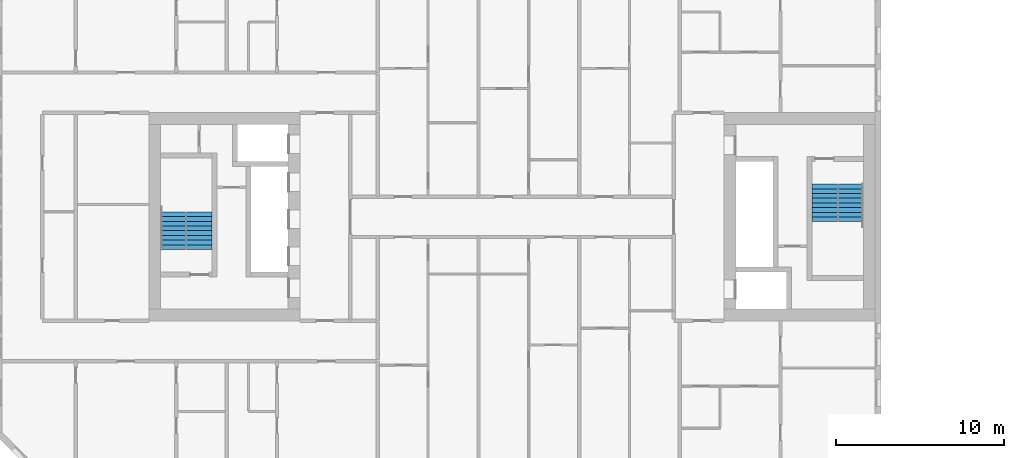
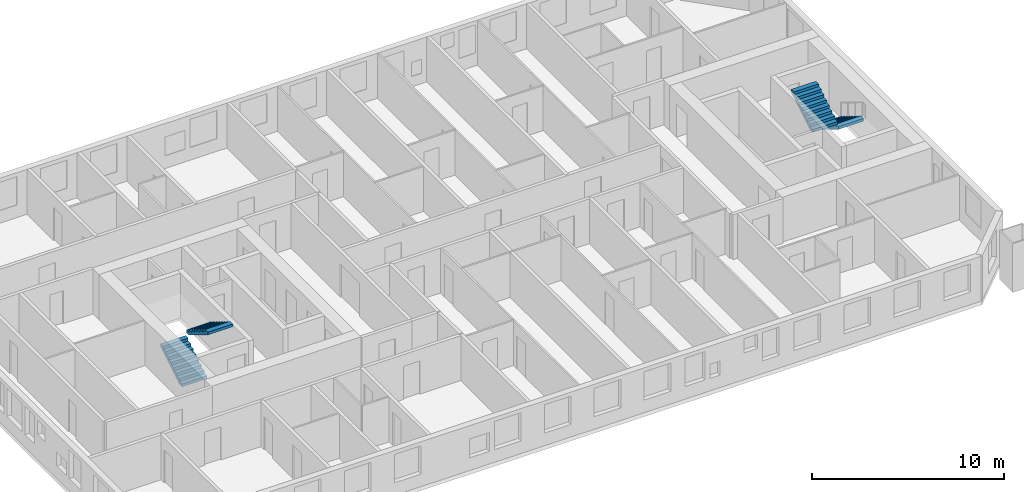
# One storey, part 16 of 17: 4 stair flights, 2 elements without a shape of their own.
"""IFC4 building model written with IfcOpenShell, lengths in metres."""

from ifc_helpers import new_model, si_unit, direction, frame, origin, place, context, subcontext, project, spatial, faceted_brep, material, type_object, element, aggregate, save


model = new_model("IFC4")

# Units and contexts
model_context = context("Model", 3, precision=1e-05, world=origin(), true_north=direction((0.0, 1.0)))
body_context = subcontext(model_context, "Body", "Model", "MODEL_VIEW")
ifc_project = project(units=[si_unit("LENGTHUNIT", "METRE"), si_unit("AREAUNIT", "SQUARE_METRE"), si_unit("VOLUMEUNIT", "CUBIC_METRE"), si_unit("PLANEANGLEUNIT", "RADIAN"), si_unit("MASSUNIT", "GRAM", prefix="KILO")], contexts=[model_context])

# Site, building, storey
site_placement = place(None, origin())
site = spatial("IfcSite", under=ifc_project, at=site_placement, CompositionType="ELEMENT")
building_placement = place(site_placement, origin())
building = spatial("IfcBuilding", under=site, at=building_placement, Name="Tuart Gate Housing", CompositionType="ELEMENT")
storey_placement = place(building_placement, frame((0.0, 0.0, 80.89990234375)))
storey = spatial("IfcBuildingStorey", under=building, at=storey_placement, Name="L22", CompositionType="ELEMENT", Elevation=80.89990234375)

# Stair, stair flights
ifc_material_1 = material(Name="Concrete C40", Category="concrete")
stair_type = type_object("IfcStairType", Name="Core stair 1500", PredefinedType="HALF_TURN_STAIR", material=ifc_material_1)
stair_1_placement = place(storey_placement, origin())
stair_1 = element("IfcStair", 1, at=stair_1_placement, inside=storey, type_object=stair_type, Name="Stair SA1", PredefinedType="HALF_TURN_STAIR")
ifc_material_2 = material(Name="Concrete C40", Category="concrete")
stair_flight_type = type_object("IfcStairFlightType", Name="Stair flight 1500, 9 risers 172 x 280", PredefinedType="STRAIGHT", material=ifc_material_2)
stair_flight_1_placement = place(storey_placement, frame((74.18994140625, 71.949951171875, 0.0), z_axis=(0.0, 0.0, 1.0), x_axis=(0.0, -1.0, 0.0)))
stair_flight_1 = element("IfcStairFlight", 2, at=stair_flight_1_placement, type_object=stair_flight_type, Name="SA1 flight 1", NumberOfRisers=9, NumberOfTreads=8, PredefinedType="STRAIGHT", RiserHeight=0.172222222, TreadLength=0.28, context=body_context, shape_type="Brep", body=[
    faceted_brep([(0.0, 0.75, 0.0), (0.0, 0.75, 0.172119140625), (0.280029296875, 0.75, 0.172119140625), (0.280029296875, 0.75, 0.344482421875), (0.56005859375, 0.75, 0.344482421875), (0.56005859375, 0.75, 0.5166015625), (0.840087890625, 0.75, 0.5166015625), (0.840087890625, 0.75, 0.68896484375), (1.1201171875, 0.75, 0.68896484375), (1.1201171875, 0.75, 0.861083984375), (1.39990234375, 0.75, 0.861083984375), (1.39990234375, 0.75, 1.033447265625), (1.679931640625, 0.75, 1.033447265625), (1.679931640625, 0.75, 1.20556640625), (1.9599609375, 0.75, 1.20556640625), (1.9599609375, 0.75, 1.377685546875), (2.239990234375, 0.75, 1.377685546875), (2.239990234375, 0.75, 1.201904296875), (0.2861328125, 0.75, 0.0), (0.2861328125, -0.75, 0.0), (2.239990234375, -0.75, 1.201904296875), (2.239990234375, -0.75, 1.377685546875), (1.9599609375, -0.75, 1.377685546875), (1.9599609375, -0.75, 1.20556640625), (1.679931640625, -0.75, 1.20556640625), (1.679931640625, -0.75, 1.033447265625), (1.39990234375, -0.75, 1.033447265625), (1.39990234375, -0.75, 0.861083984375), (1.1201171875, -0.75, 0.861083984375), (1.1201171875, -0.75, 0.68896484375), (0.840087890625, -0.75, 0.68896484375), (0.840087890625, -0.75, 0.5166015625), (0.56005859375, -0.75, 0.5166015625), (0.56005859375, -0.75, 0.344482421875), (0.280029296875, -0.75, 0.344482421875), (0.280029296875, -0.75, 0.172119140625), (0.0, -0.75, 0.172119140625), (0.0, -0.75, 0.0), (2.239990234375, 0.0, 1.201904296875), (0.2861328125, 0.0, 0.0), (2.239990234375, 0.0, 1.377685546875), (1.9599609375, 0.0, 1.377685546875), (1.9599609375, 0.0, 1.20556640625), (1.679931640625, 0.0, 1.20556640625), (1.679931640625, 0.0, 1.033447265625), (1.39990234375, 0.0, 1.033447265625), (1.39990234375, 0.0, 0.861083984375), (1.1201171875, 0.0, 0.861083984375), (1.1201171875, 0.0, 0.68896484375), (0.840087890625, 0.0, 0.68896484375), (0.840087890625, 0.0, 0.5166015625), (0.56005859375, 0.0, 0.5166015625), (0.56005859375, 0.0, 0.344482421875), (0.280029296875, 0.0, 0.344482421875), (0.280029296875, 0.0, 0.172119140625), (0.0, 0.0, 0.172119140625), (0.0, 0.0, 0.0)], [[[0, 1, 2, 3, 4, 5, 6, 7, 8, 9, 10, 11, 12, 13, 14, 15, 16, 17, 18]], [[19, 20, 21, 22, 23, 24, 25, 26, 27, 28, 29, 30, 31, 32, 33, 34, 35, 36, 37]], [[18, 17, 38, 39]], [[39, 38, 20, 19]], [[17, 16, 40, 38]], [[38, 40, 21, 20]], [[16, 15, 41, 40]], [[40, 41, 22, 21]], [[15, 14, 42, 41]], [[41, 42, 23, 22]], [[14, 13, 43, 42]], [[42, 43, 24, 23]], [[13, 12, 44, 43]], [[43, 44, 25, 24]], [[12, 11, 45, 44]], [[44, 45, 26, 25]], [[11, 10, 46, 45]], [[45, 46, 27, 26]], [[10, 9, 47, 46]], [[46, 47, 28, 27]], [[9, 8, 48, 47]], [[47, 48, 29, 28]], [[8, 7, 49, 48]], [[48, 49, 30, 29]], [[7, 6, 50, 49]], [[49, 50, 31, 30]], [[6, 5, 51, 50]], [[50, 51, 32, 31]], [[5, 4, 52, 51]], [[51, 52, 33, 32]], [[4, 3, 53, 52]], [[52, 53, 34, 33]], [[3, 2, 54, 53]], [[53, 54, 35, 34]], [[2, 1, 55, 54]], [[54, 55, 36, 35]], [[1, 0, 56, 55]], [[55, 56, 37, 36]], [[0, 18, 39, 56]], [[56, 39, 19, 37]]]),
])
stair_flight_2_placement = place(storey_placement, frame((72.639892578125, 69.7099609375, 1.550048828125), z_axis=(0.0, 0.0, 1.0), x_axis=(0.0, 1.0, 0.0)))
stair_flight_2 = element("IfcStairFlight", 3, at=stair_flight_2_placement, type_object=stair_flight_type, Name="SA1 flight 2", NumberOfRisers=9, NumberOfTreads=8, PredefinedType="STRAIGHT", RiserHeight=0.172222222, TreadLength=0.28, context=body_context, shape_type="Brep", body=[
    faceted_brep([(0.0, 0.75, 0.0), (0.0, 0.75, 0.172119140625), (0.280029296875, 0.75, 0.172119140625), (0.280029296875, 0.75, 0.344482421875), (0.56005859375, 0.75, 0.344482421875), (0.56005859375, 0.75, 0.5166015625), (0.840087890625, 0.75, 0.5166015625), (0.840087890625, 0.75, 0.68896484375), (1.1201171875, 0.75, 0.68896484375), (1.1201171875, 0.75, 0.861083984375), (1.39990234375, 0.75, 0.861083984375), (1.39990234375, 0.75, 1.033447265625), (1.679931640625, 0.75, 1.033447265625), (1.679931640625, 0.75, 1.20556640625), (1.9599609375, 0.75, 1.20556640625), (1.9599609375, 0.75, 1.377685546875), (2.239990234375, 0.75, 1.377685546875), (2.239990234375, 0.75, 1.201904296875), (0.2861328125, 0.75, 0.0), (0.2861328125, -0.75, 0.0), (2.239990234375, -0.75, 1.201904296875), (2.239990234375, -0.75, 1.377685546875), (1.9599609375, -0.75, 1.377685546875), (1.9599609375, -0.75, 1.20556640625), (1.679931640625, -0.75, 1.20556640625), (1.679931640625, -0.75, 1.033447265625), (1.39990234375, -0.75, 1.033447265625), (1.39990234375, -0.75, 0.861083984375), (1.1201171875, -0.75, 0.861083984375), (1.1201171875, -0.75, 0.68896484375), (0.840087890625, -0.75, 0.68896484375), (0.840087890625, -0.75, 0.5166015625), (0.56005859375, -0.75, 0.5166015625), (0.56005859375, -0.75, 0.344482421875), (0.280029296875, -0.75, 0.344482421875), (0.280029296875, -0.75, 0.172119140625), (0.0, -0.75, 0.172119140625), (0.0, -0.75, 0.0), (2.239990234375, 0.0, 1.201904296875), (0.2861328125, 0.0, 0.0), (2.239990234375, 0.0, 1.377685546875), (1.9599609375, 0.0, 1.377685546875), (1.9599609375, 0.0, 1.20556640625), (1.679931640625, 0.0, 1.20556640625), (1.679931640625, 0.0, 1.033447265625), (1.39990234375, 0.0, 1.033447265625), (1.39990234375, 0.0, 0.861083984375), (1.1201171875, 0.0, 0.861083984375), (1.1201171875, 0.0, 0.68896484375), (0.840087890625, 0.0, 0.68896484375), (0.840087890625, 0.0, 0.5166015625), (0.56005859375, 0.0, 0.5166015625), (0.56005859375, 0.0, 0.344482421875), (0.280029296875, 0.0, 0.344482421875), (0.280029296875, 0.0, 0.172119140625), (0.0, 0.0, 0.172119140625), (0.0, 0.0, 0.0)], [[[0, 1, 2, 3, 4, 5, 6, 7, 8, 9, 10, 11, 12, 13, 14, 15, 16, 17, 18]], [[19, 20, 21, 22, 23, 24, 25, 26, 27, 28, 29, 30, 31, 32, 33, 34, 35, 36, 37]], [[18, 17, 38, 39]], [[39, 38, 20, 19]], [[17, 16, 40, 38]], [[38, 40, 21, 20]], [[16, 15, 41, 40]], [[40, 41, 22, 21]], [[15, 14, 42, 41]], [[41, 42, 23, 22]], [[14, 13, 43, 42]], [[42, 43, 24, 23]], [[13, 12, 44, 43]], [[43, 44, 25, 24]], [[12, 11, 45, 44]], [[44, 45, 26, 25]], [[11, 10, 46, 45]], [[45, 46, 27, 26]], [[10, 9, 47, 46]], [[46, 47, 28, 27]], [[9, 8, 48, 47]], [[47, 48, 29, 28]], [[8, 7, 49, 48]], [[48, 49, 30, 29]], [[7, 6, 50, 49]], [[49, 50, 31, 30]], [[6, 5, 51, 50]], [[50, 51, 32, 31]], [[5, 4, 52, 51]], [[51, 52, 33, 32]], [[4, 3, 53, 52]], [[52, 53, 34, 33]], [[3, 2, 54, 53]], [[53, 54, 35, 34]], [[2, 1, 55, 54]], [[54, 55, 36, 35]], [[1, 0, 56, 55]], [[55, 56, 37, 36]], [[0, 18, 39, 56]], [[56, 39, 19, 37]]]),
])
aggregate(stair_1, [stair_flight_1, stair_flight_2])

stair_2_placement = place(storey_placement, origin())
stair_2 = element("IfcStair", 4, at=stair_2_placement, inside=storey, type_object=stair_type, Name="Stair SA2", PredefinedType="HALF_TURN_STAIR")
stair_flight_3_placement = place(storey_placement, frame((33.81005859375, 68.050048828125, 0.0), z_axis=(0.0, 0.0, 1.0), x_axis=(0.0, 1.0, 0.0)))
stair_flight_3 = element("IfcStairFlight", 5, at=stair_flight_3_placement, type_object=stair_flight_type, Name="SA2 flight 1", NumberOfRisers=9, NumberOfTreads=8, PredefinedType="STRAIGHT", RiserHeight=0.172222222, TreadLength=0.28, context=body_context, shape_type="Brep", body=[
    faceted_brep([(0.0, 0.75, 0.0), (0.0, 0.75, 0.172119140625), (0.280029296875, 0.75, 0.172119140625), (0.280029296875, 0.75, 0.344482421875), (0.56005859375, 0.75, 0.344482421875), (0.56005859375, 0.75, 0.5166015625), (0.840087890625, 0.75, 0.5166015625), (0.840087890625, 0.75, 0.68896484375), (1.1201171875, 0.75, 0.68896484375), (1.1201171875, 0.75, 0.861083984375), (1.39990234375, 0.75, 0.861083984375), (1.39990234375, 0.75, 1.033447265625), (1.679931640625, 0.75, 1.033447265625), (1.679931640625, 0.75, 1.20556640625), (1.9599609375, 0.75, 1.20556640625), (1.9599609375, 0.75, 1.377685546875), (2.239990234375, 0.75, 1.377685546875), (2.239990234375, 0.75, 1.201904296875), (0.2861328125, 0.75, 0.0), (0.2861328125, -0.75, 0.0), (2.239990234375, -0.75, 1.201904296875), (2.239990234375, -0.75, 1.377685546875), (1.9599609375, -0.75, 1.377685546875), (1.9599609375, -0.75, 1.20556640625), (1.679931640625, -0.75, 1.20556640625), (1.679931640625, -0.75, 1.033447265625), (1.39990234375, -0.75, 1.033447265625), (1.39990234375, -0.75, 0.861083984375), (1.1201171875, -0.75, 0.861083984375), (1.1201171875, -0.75, 0.68896484375), (0.840087890625, -0.75, 0.68896484375), (0.840087890625, -0.75, 0.5166015625), (0.56005859375, -0.75, 0.5166015625), (0.56005859375, -0.75, 0.344482421875), (0.280029296875, -0.75, 0.344482421875), (0.280029296875, -0.75, 0.172119140625), (0.0, -0.75, 0.172119140625), (0.0, -0.75, 0.0), (2.239990234375, 0.0, 1.201904296875), (0.2861328125, 0.0, 0.0), (2.239990234375, 0.0, 1.377685546875), (1.9599609375, 0.0, 1.377685546875), (1.9599609375, 0.0, 1.20556640625), (1.679931640625, 0.0, 1.20556640625), (1.679931640625, 0.0, 1.033447265625), (1.39990234375, 0.0, 1.033447265625), (1.39990234375, 0.0, 0.861083984375), (1.1201171875, 0.0, 0.861083984375), (1.1201171875, 0.0, 0.68896484375), (0.840087890625, 0.0, 0.68896484375), (0.840087890625, 0.0, 0.5166015625), (0.56005859375, 0.0, 0.5166015625), (0.56005859375, 0.0, 0.344482421875), (0.280029296875, 0.0, 0.344482421875), (0.280029296875, 0.0, 0.172119140625), (0.0, 0.0, 0.172119140625), (0.0, 0.0, 0.0)], [[[0, 1, 2, 3, 4, 5, 6, 7, 8, 9, 10, 11, 12, 13, 14, 15, 16, 17, 18]], [[19, 20, 21, 22, 23, 24, 25, 26, 27, 28, 29, 30, 31, 32, 33, 34, 35, 36, 37]], [[18, 17, 38, 39]], [[39, 38, 20, 19]], [[17, 16, 40, 38]], [[38, 40, 21, 20]], [[16, 15, 41, 40]], [[40, 41, 22, 21]], [[15, 14, 42, 41]], [[41, 42, 23, 22]], [[14, 13, 43, 42]], [[42, 43, 24, 23]], [[13, 12, 44, 43]], [[43, 44, 25, 24]], [[12, 11, 45, 44]], [[44, 45, 26, 25]], [[11, 10, 46, 45]], [[45, 46, 27, 26]], [[10, 9, 47, 46]], [[46, 47, 28, 27]], [[9, 8, 48, 47]], [[47, 48, 29, 28]], [[8, 7, 49, 48]], [[48, 49, 30, 29]], [[7, 6, 50, 49]], [[49, 50, 31, 30]], [[6, 5, 51, 50]], [[50, 51, 32, 31]], [[5, 4, 52, 51]], [[51, 52, 33, 32]], [[4, 3, 53, 52]], [[52, 53, 34, 33]], [[3, 2, 54, 53]], [[53, 54, 35, 34]], [[2, 1, 55, 54]], [[54, 55, 36, 35]], [[1, 0, 56, 55]], [[55, 56, 37, 36]], [[0, 18, 39, 56]], [[56, 39, 19, 37]]]),
])
stair_flight_4_placement = place(storey_placement, frame((35.360107421875, 70.2900390625, 1.550048828125), z_axis=(0.0, 0.0, 1.0), x_axis=(0.0, -1.0, 0.0)))
stair_flight_4 = element("IfcStairFlight", 6, at=stair_flight_4_placement, type_object=stair_flight_type, Name="SA2 flight 2", NumberOfRisers=9, NumberOfTreads=8, PredefinedType="STRAIGHT", RiserHeight=0.172222222, TreadLength=0.28, context=body_context, shape_type="Brep", body=[
    faceted_brep([(0.0, 0.75, 0.0), (0.0, 0.75, 0.172119140625), (0.280029296875, 0.75, 0.172119140625), (0.280029296875, 0.75, 0.344482421875), (0.56005859375, 0.75, 0.344482421875), (0.56005859375, 0.75, 0.5166015625), (0.840087890625, 0.75, 0.5166015625), (0.840087890625, 0.75, 0.68896484375), (1.1201171875, 0.75, 0.68896484375), (1.1201171875, 0.75, 0.861083984375), (1.39990234375, 0.75, 0.861083984375), (1.39990234375, 0.75, 1.033447265625), (1.679931640625, 0.75, 1.033447265625), (1.679931640625, 0.75, 1.20556640625), (1.9599609375, 0.75, 1.20556640625), (1.9599609375, 0.75, 1.377685546875), (2.239990234375, 0.75, 1.377685546875), (2.239990234375, 0.75, 1.201904296875), (0.2861328125, 0.75, 0.0), (0.2861328125, -0.75, 0.0), (2.239990234375, -0.75, 1.201904296875), (2.239990234375, -0.75, 1.377685546875), (1.9599609375, -0.75, 1.377685546875), (1.9599609375, -0.75, 1.20556640625), (1.679931640625, -0.75, 1.20556640625), (1.679931640625, -0.75, 1.033447265625), (1.39990234375, -0.75, 1.033447265625), (1.39990234375, -0.75, 0.861083984375), (1.1201171875, -0.75, 0.861083984375), (1.1201171875, -0.75, 0.68896484375), (0.840087890625, -0.75, 0.68896484375), (0.840087890625, -0.75, 0.5166015625), (0.56005859375, -0.75, 0.5166015625), (0.56005859375, -0.75, 0.344482421875), (0.280029296875, -0.75, 0.344482421875), (0.280029296875, -0.75, 0.172119140625), (0.0, -0.75, 0.172119140625), (0.0, -0.75, 0.0), (2.239990234375, 0.0, 1.201904296875), (0.2861328125, 0.0, 0.0), (2.239990234375, 0.0, 1.377685546875), (1.9599609375, 0.0, 1.377685546875), (1.9599609375, 0.0, 1.20556640625), (1.679931640625, 0.0, 1.20556640625), (1.679931640625, 0.0, 1.033447265625), (1.39990234375, 0.0, 1.033447265625), (1.39990234375, 0.0, 0.861083984375), (1.1201171875, 0.0, 0.861083984375), (1.1201171875, 0.0, 0.68896484375), (0.840087890625, 0.0, 0.68896484375), (0.840087890625, 0.0, 0.5166015625), (0.56005859375, 0.0, 0.5166015625), (0.56005859375, 0.0, 0.344482421875), (0.280029296875, 0.0, 0.344482421875), (0.280029296875, 0.0, 0.172119140625), (0.0, 0.0, 0.172119140625), (0.0, 0.0, 0.0)], [[[0, 1, 2, 3, 4, 5, 6, 7, 8, 9, 10, 11, 12, 13, 14, 15, 16, 17, 18]], [[19, 20, 21, 22, 23, 24, 25, 26, 27, 28, 29, 30, 31, 32, 33, 34, 35, 36, 37]], [[18, 17, 38, 39]], [[39, 38, 20, 19]], [[17, 16, 40, 38]], [[38, 40, 21, 20]], [[16, 15, 41, 40]], [[40, 41, 22, 21]], [[15, 14, 42, 41]], [[41, 42, 23, 22]], [[14, 13, 43, 42]], [[42, 43, 24, 23]], [[13, 12, 44, 43]], [[43, 44, 25, 24]], [[12, 11, 45, 44]], [[44, 45, 26, 25]], [[11, 10, 46, 45]], [[45, 46, 27, 26]], [[10, 9, 47, 46]], [[46, 47, 28, 27]], [[9, 8, 48, 47]], [[47, 48, 29, 28]], [[8, 7, 49, 48]], [[48, 49, 30, 29]], [[7, 6, 50, 49]], [[49, 50, 31, 30]], [[6, 5, 51, 50]], [[50, 51, 32, 31]], [[5, 4, 52, 51]], [[51, 52, 33, 32]], [[4, 3, 53, 52]], [[52, 53, 34, 33]], [[3, 2, 54, 53]], [[53, 54, 35, 34]], [[2, 1, 55, 54]], [[54, 55, 36, 35]], [[1, 0, 56, 55]], [[55, 56, 37, 36]], [[0, 18, 39, 56]], [[56, 39, 19, 37]]]),
])
aggregate(stair_2, [stair_flight_3, stair_flight_4])

save(model, "model.ifc")
